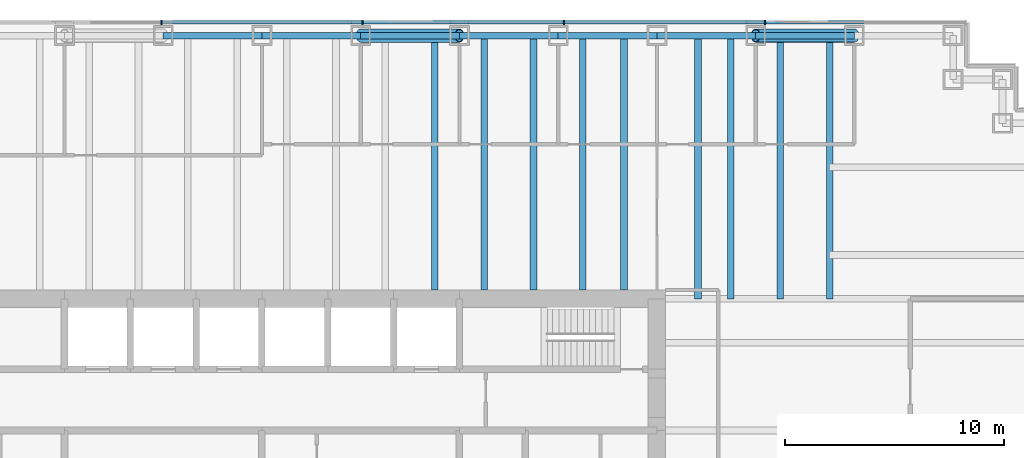
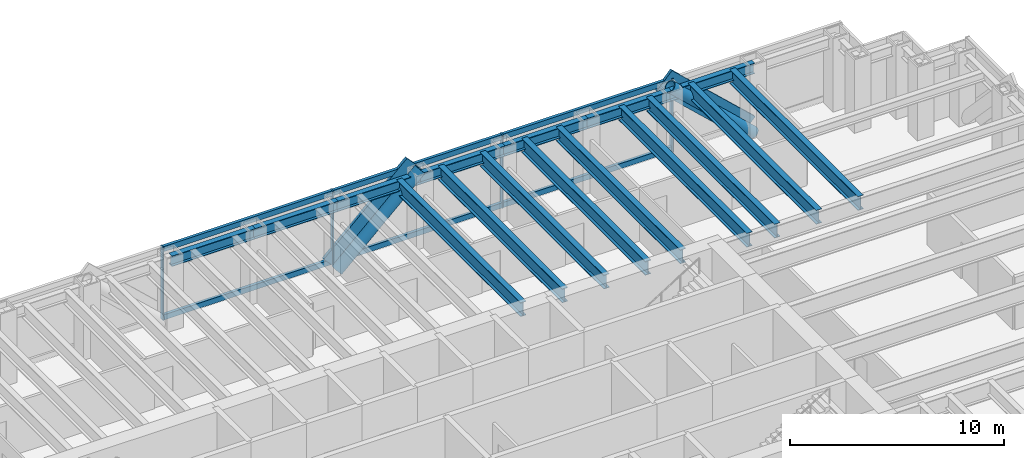
# One storey, part 7 of 16: 16 beams, 14 members, 1 element without a shape of its own.
"""IFC4 building model written with IfcOpenShell, lengths in metres."""

from ifc_helpers import new_model, si_unit, direction, frame, origin, origin_2d, place, context, subcontext, project, spatial, rectangle, hollow_circle, i_section, extrude, material, material_profile, profile_set, type_object, element, aggregate, save


model = new_model("IFC4")

# Units and contexts
model_context = context("Model", 3, precision=1e-05, world=origin(), true_north=direction((0.0, 1.0)))
body_context = subcontext(model_context, "Body", "Model", "MODEL_VIEW")
ifc_project = project(units=[si_unit("LENGTHUNIT", "METRE"), si_unit("AREAUNIT", "SQUARE_METRE"), si_unit("VOLUMEUNIT", "CUBIC_METRE"), si_unit("PLANEANGLEUNIT", "RADIAN"), si_unit("MASSUNIT", "GRAM", prefix="KILO")], contexts=[model_context])

# Site, building, storey
site_placement = place(None, origin())
site = spatial("IfcSite", under=ifc_project, at=site_placement, CompositionType="ELEMENT")
building_placement = place(site_placement, origin())
building = spatial("IfcBuilding", under=site, at=building_placement, Name="Rheinbord Bourse Tower", CompositionType="ELEMENT")
storey_placement = place(building_placement, frame((0.0, 0.0, 219.39990234375)))
storey = spatial("IfcBuildingStorey", under=building, at=storey_placement, Name="L49", CompositionType="ELEMENT", Elevation=219.39990234375)

# Curtain wall, members
ifc_material_1 = material(Name="Dark glass and black aluminium", Category="aluminium")
curtain_wall_type = type_object("IfcCurtainWallType", Name="CW2 DARK GLASS CURTAIN WALL", PredefinedType="USERDEFINED", material=ifc_material_1)
curtain_wall_placement = place(storey_placement, origin())
curtain_wall = element("IfcCurtainWall", 1, at=curtain_wall_placement, inside=storey, type_object=curtain_wall_type, Name="Curtain wall CW2 N L49", ObjectType="UNITISED CURTAIN WALL", PredefinedType="USERDEFINED")
ifc_material_2 = material(Name="Black anodised aluminium", Category="aluminium")
ifc_material_profile_1 = material_profile(ifc_material_2, rectangle(XDim=0.159912109375, YDim=1.2099609375, at=origin_2d()), Name="CW2 DIAGONAL MULLION 1210x160")
ifc_profile_set_1 = profile_set([ifc_material_profile_1], Name="Black anodised aluminium")
member_type_1 = type_object("IfcMemberType", Name="CW2 BLACK DIAGONAL MULLION", PredefinedType="USERDEFINED", material=ifc_profile_set_1)
member_1_placement = place(storey_placement, frame((40.5, 44.60009765625, 0.0), z_axis=(0.731039441158, 0.0, 0.682335207557), x_axis=(0.0, 1.0, 0.0)))
member_1 = element("IfcMember", 2, at=member_1_placement, type_object=member_type_1, Name="CW2 diagonal mullion b", ObjectType="DIAGONAL MULLION", PredefinedType="USERDEFINED", context=body_context, shape_type="SweptSolid", body=[
    extrude(rectangle(XDim=0.159912109375, YDim=1.2099609375, at=origin_2d()), origin(), (0.0, 0.0, 1.0), 6.155517578125),
])
member_2_placement = place(storey_placement, frame((63.0, 44.60009765625, 0.0), z_axis=(-0.731039441158, 0.0, 0.682335207557), x_axis=(0.0, -1.0, 0.0)))
member_2 = element("IfcMember", 3, at=member_2_placement, type_object=member_type_1, Name="CW2 diagonal mullion d", ObjectType="DIAGONAL MULLION", PredefinedType="USERDEFINED", context=body_context, shape_type="SweptSolid", body=[
    extrude(rectangle(XDim=0.159912109375, YDim=1.2099609375, at=origin_2d()), origin(), (0.0, 0.0, 1.0), 6.155517578125),
])
ifc_material_3 = material(Name="Black anodised aluminium", Category="aluminium")
ifc_material_profile_2 = material_profile(ifc_material_3, rectangle(XDim=0.219970703125, YDim=0.070068359375, at=origin_2d()), Name="CW2 MULLION 70x220")
ifc_profile_set_2 = profile_set([ifc_material_profile_2], Name="Black anodised aluminium")
member_type_2 = type_object("IfcMemberType", Name="CW2 BLACK MULLION", PredefinedType="MULLION", material=ifc_profile_set_2)
member_3_placement = place(storey_placement, frame((58.928466796875, 44.60009765625, 0.0), z_axis=(0.0, 0.0, 1.0), x_axis=(0.0, -1.0, 0.0)))
member_3 = element("IfcMember", 4, at=member_3_placement, type_object=member_type_2, Name="CW2 mullion 2", PredefinedType="MULLION", context=body_context, shape_type="SweptSolid", body=[
    extrude(rectangle(XDim=0.219970703125, YDim=0.070068359375, at=origin_2d()), origin(), (0.0, 0.0, 1.0), 4.2001953125),
])
member_4_placement = place(storey_placement, frame((49.757080078125, 44.60009765625, 0.0), z_axis=(0.0, 0.0, 1.0), x_axis=(0.0, -1.0, 0.0)))
member_4 = element("IfcMember", 5, at=member_4_placement, type_object=member_type_2, Name="CW2 mullion 3", PredefinedType="MULLION", context=body_context, shape_type="SweptSolid", body=[
    extrude(rectangle(XDim=0.219970703125, YDim=0.070068359375, at=origin_2d()), origin(), (0.0, 0.0, 1.0), 4.2001953125),
])
member_5_placement = place(storey_placement, frame((40.585693359375, 44.60009765625, 0.0), z_axis=(0.0, 0.0, 1.0), x_axis=(0.0, -1.0, 0.0)))
member_5 = element("IfcMember", 6, at=member_5_placement, type_object=member_type_2, Name="CW2 mullion 4", PredefinedType="MULLION", context=body_context, shape_type="SweptSolid", body=[
    extrude(rectangle(XDim=0.219970703125, YDim=0.070068359375, at=origin_2d()), origin(), (0.0, 0.0, 1.0), 4.2001953125),
])
member_6_placement = place(storey_placement, frame((31.414306640625, 44.60009765625, 0.0), z_axis=(0.0, 0.0, 1.0), x_axis=(0.0, -1.0, 0.0)))
member_6 = element("IfcMember", 7, at=member_6_placement, type_object=member_type_2, Name="CW2 mullion 5", PredefinedType="MULLION", context=body_context, shape_type="SweptSolid", body=[
    extrude(rectangle(XDim=0.219970703125, YDim=0.070068359375, at=origin_2d()), origin(), (0.0, 0.0, 1.0), 4.2001953125),
])
ifc_material_4 = material(Name="Black anodised aluminium", Category="aluminium")
ifc_material_profile_3 = material_profile(ifc_material_4, rectangle(XDim=0.159912109375, YDim=0.300048828125, at=origin_2d()), Name="CW2 TRANSOM 300x160")
ifc_profile_set_3 = profile_set([ifc_material_profile_3], Name="Black anodised aluminium")
member_type_3 = type_object("IfcMemberType", Name="CW2 BLACK TRANSOM", PredefinedType="USERDEFINED", material=ifc_profile_set_3)
member_7_placement = place(storey_placement, frame((58.8935546875, 44.60009765625, 0.150146484375), z_axis=(-1.0, 0.0, 0.0), x_axis=(0.0, -1.0, 0.0)))
member_7 = element("IfcMember", 8, at=member_7_placement, type_object=member_type_3, Name="CW2 transom 2.1", ObjectType="TRANSOM", PredefinedType="USERDEFINED", context=body_context, shape_type="SweptSolid", body=[
    extrude(rectangle(XDim=0.159912109375, YDim=0.300048828125, at=origin_2d()), origin(), (0.0, 0.0, 1.0), 9.101318359375),
])
member_8_placement = place(storey_placement, frame((58.8935546875, 44.60009765625, 4.050048828125), z_axis=(-1.0, 0.0, 0.0), x_axis=(0.0, -1.0, 0.0)))
member_8 = element("IfcMember", 9, at=member_8_placement, type_object=member_type_3, Name="CW2 transom 2.2", ObjectType="TRANSOM", PredefinedType="USERDEFINED", context=body_context, shape_type="SweptSolid", body=[
    extrude(rectangle(XDim=0.159912109375, YDim=0.300048828125, at=origin_2d()), origin(), (0.0, 0.0, 1.0), 9.101318359375),
])
member_9_placement = place(storey_placement, frame((49.72216796875, 44.60009765625, 0.150146484375), z_axis=(-1.0, 0.0, 0.0), x_axis=(0.0, -1.0, 0.0)))
member_9 = element("IfcMember", 10, at=member_9_placement, type_object=member_type_3, Name="CW2 transom 3.1", ObjectType="TRANSOM", PredefinedType="USERDEFINED", context=body_context, shape_type="SweptSolid", body=[
    extrude(rectangle(XDim=0.159912109375, YDim=0.300048828125, at=origin_2d()), origin(), (0.0, 0.0, 1.0), 9.1015625),
])
member_10_placement = place(storey_placement, frame((49.72216796875, 44.60009765625, 4.050048828125), z_axis=(-1.0, 0.0, 0.0), x_axis=(0.0, -1.0, 0.0)))
member_10 = element("IfcMember", 11, at=member_10_placement, type_object=member_type_3, Name="CW2 transom 3.2", ObjectType="TRANSOM", PredefinedType="USERDEFINED", context=body_context, shape_type="SweptSolid", body=[
    extrude(rectangle(XDim=0.159912109375, YDim=0.300048828125, at=origin_2d()), origin(), (0.0, 0.0, 1.0), 9.1015625),
])
member_11_placement = place(storey_placement, frame((40.55078125, 44.60009765625, 0.150146484375), z_axis=(-1.0, 0.0, 0.0), x_axis=(0.0, -1.0, 0.0)))
member_11 = element("IfcMember", 12, at=member_11_placement, type_object=member_type_3, Name="CW2 transom 4.1", ObjectType="TRANSOM", PredefinedType="USERDEFINED", context=body_context, shape_type="SweptSolid", body=[
    extrude(rectangle(XDim=0.159912109375, YDim=0.300048828125, at=origin_2d()), origin(), (0.0, 0.0, 1.0), 9.1015625),
])
member_12_placement = place(storey_placement, frame((40.55078125, 44.60009765625, 4.050048828125), z_axis=(-1.0, 0.0, 0.0), x_axis=(0.0, -1.0, 0.0)))
member_12 = element("IfcMember", 13, at=member_12_placement, type_object=member_type_3, Name="CW2 transom 4.2", ObjectType="TRANSOM", PredefinedType="USERDEFINED", context=body_context, shape_type="SweptSolid", body=[
    extrude(rectangle(XDim=0.159912109375, YDim=0.300048828125, at=origin_2d()), origin(), (0.0, 0.0, 1.0), 9.1015625),
])
aggregate(curtain_wall, [member_3, member_4, member_5, member_6, member_7, member_8, member_9, member_10, member_11, member_12, member_1, member_2])

# Beams
ifc_material_5 = material(Name="Steel S460", Category="steel")
ifc_material_profile_4 = material_profile(ifc_material_5, i_section(OverallWidth=0.300048828125, OverallDepth=0.800048828125, WebThickness=0.017578125, FlangeThickness=0.032958984375, at=origin_2d()), Name="HEB 800")
ifc_profile_set_4 = profile_set([ifc_material_profile_4], Name="Steel S460")
beam_type_1 = type_object("IfcBeamType", Name="FLOOR BEAM HEB 800", PredefinedType="BEAM", material=ifc_profile_set_4)
for number, where, z_axis, x_axis, name in (
    (14, (43.875, 44.0, 3.64013671875), (0.0, -1.0, 0.0), (1.0, 0.0, 0.0), "Floor beam N-40.5b L50"),
    (15, (46.125, 44.0, 3.64013671875), (0.0, -1.0, 0.0), (1.0, 0.0, 0.0), "Floor beam N-45a L50"),
    (16, (48.375, 44.0, 3.64013671875), (0.0, -1.0, 0.0), (1.0, 0.0, 0.0), "Floor beam N-45b L50"),
    (17, (50.625, 44.0, 3.64013671875), (0.0, -1.0, 0.0), (1.0, 0.0, 0.0), "Floor beam N-49.5a L50"),
    (18, (52.5, 44.0, 3.64013671875), (0.0, -1.0, 0.0), (1.0, 0.0, 0.0), "Floor beam N-49.5b L50"),
):
    element("IfcBeam", number, at=place(storey_placement, frame(where, z_axis=z_axis, x_axis=x_axis)), inside=storey, type_object=beam_type_1, Name=name, PredefinedType="BEAM", context=body_context, shape_type="SweptSolid", body=[
        extrude(i_section(OverallWidth=0.300048828125, OverallDepth=0.800048828125, WebThickness=0.017578125, FlangeThickness=0.032958984375, at=origin_2d()), origin(), (0.0, 0.0, 1.0), 11.60009765625),
    ])
for number, where, z_axis, x_axis, name in (
    (19, (55.875, 44.0, 3.64013671875), (0.0, -1.0, 0.0), (1.0, 0.0, 0.0), "Floor beam N-54a L50"),
    (20, (57.375, 44.0, 3.64013671875), (0.0, -1.0, 0.0), (1.0, 0.0, 0.0), "Floor beam N-54b L50"),
    (21, (59.625, 44.0, 3.64013671875), (0.0, -1.0, 0.0), (1.0, 0.0, 0.0), "Floor beam N-58.5a L50"),
    (22, (61.875, 44.0, 3.64013671875), (0.0, -1.0, 0.0), (1.0, 0.0, 0.0), "Floor beam N-58.5b L50"),
):
    element("IfcBeam", number, at=place(storey_placement, frame(where, z_axis=z_axis, x_axis=x_axis)), inside=storey, type_object=beam_type_1, Name=name, PredefinedType="BEAM", context=body_context, shape_type="SweptSolid", body=[
        extrude(i_section(OverallWidth=0.300048828125, OverallDepth=0.800048828125, WebThickness=0.017578125, FlangeThickness=0.032958984375, at=origin_2d()), origin(), (0.0, 0.0, 1.0), 12.0),
    ])

# Members
ifc_material_6 = material(Name="Steel S460", Category="steel")
ifc_material_profile_5 = material_profile(ifc_material_6, hollow_circle(Radius=0.304931640625, WallThickness=0.0400390625, at=origin_2d()), Name="CHS 610x40")
ifc_profile_set_5 = profile_set([ifc_material_profile_5], Name="Steel S460")
member_type_4 = type_object("IfcMemberType", Name="MEGABRACE CHS 610x40", PredefinedType="BRACE", material=ifc_profile_set_5)
for number, where, z_axis, x_axis, name in (
    (23, (40.5, 44.0, 0.0), (0.731039441158, 0.0, 0.682335207557), (0.0, 1.0, 0.0), "Megabrace N face line b L49"),
    (24, (63.0, 44.0, 0.0), (-0.731039441158, 0.0, 0.682335207557), (0.0, -1.0, 0.0), "Megabrace N face line d L49"),
):
    element("IfcMember", number, at=place(storey_placement, frame(where, z_axis=z_axis, x_axis=x_axis)), inside=storey, type_object=member_type_4, Name=name, PredefinedType="BRACE", context=body_context, shape_type="SweptSolid", body=[
        extrude(hollow_circle(Radius=0.304931640625, WallThickness=0.0400390625, at=origin_2d()), origin(), (0.0, 0.0, 1.0), 6.155517578125),
    ])

# Beams
ifc_material_7 = material(Name="Steel S460", Category="steel")
ifc_material_profile_6 = material_profile(ifc_material_7, i_section(OverallWidth=0.300048828125, OverallDepth=0.60009765625, WebThickness=0.015380859375, FlangeThickness=0.030029296875, at=origin_2d()), Name="HEB 600")
ifc_profile_set_6 = profile_set([ifc_material_profile_6], Name="Steel S460")
beam_type_2 = type_object("IfcBeamType", Name="SPANDREL HEB 600", PredefinedType="SPANDREL", material=ifc_profile_set_6)
for number, where, z_axis, x_axis, name in (
    (25, (63.0, 44.0, 3.739990234375), (-1.0, 0.0, 0.0), (0.0, -1.0, 0.0), "Spandrel N-63-N-58.5 under L50"),
    (26, (58.5, 44.0, 3.739990234375), (-1.0, 0.0, 0.0), (0.0, -1.0, 0.0), "Spandrel N-58.5-N-54 under L50"),
    (27, (54.0, 44.0, 3.739990234375), (-1.0, 0.0, 0.0), (0.0, -1.0, 0.0), "Spandrel N-54-N-49.5 under L50"),
    (28, (49.5, 44.0, 3.739990234375), (-1.0, 0.0, 0.0), (0.0, -1.0, 0.0), "Spandrel N-49.5-N-45 under L50"),
    (29, (45.0, 44.0, 3.739990234375), (-1.0, 0.0, 0.0), (0.0, -1.0, 0.0), "Spandrel N-45-N-40.5 under L50"),
    (30, (40.5, 44.0, 3.739990234375), (-1.0, 0.0, 0.0), (0.0, -1.0, 0.0), "Spandrel N-40.5-N-36 under L50"),
    (31, (36.0, 44.0, 3.739990234375), (-1.0, 0.0, 0.0), (0.0, -1.0, 0.0), "Spandrel N-36-N-31.5 under L50"),
):
    element("IfcBeam", number, at=place(storey_placement, frame(where, z_axis=z_axis, x_axis=x_axis)), inside=storey, type_object=beam_type_2, Name=name, PredefinedType="SPANDREL", context=body_context, shape_type="SweptSolid", body=[
        extrude(i_section(OverallWidth=0.300048828125, OverallDepth=0.60009765625, WebThickness=0.015380859375, FlangeThickness=0.030029296875, at=origin_2d()), origin(), (0.0, 0.0, 1.0), 4.5),
    ])

save(model, "model.ifc")
